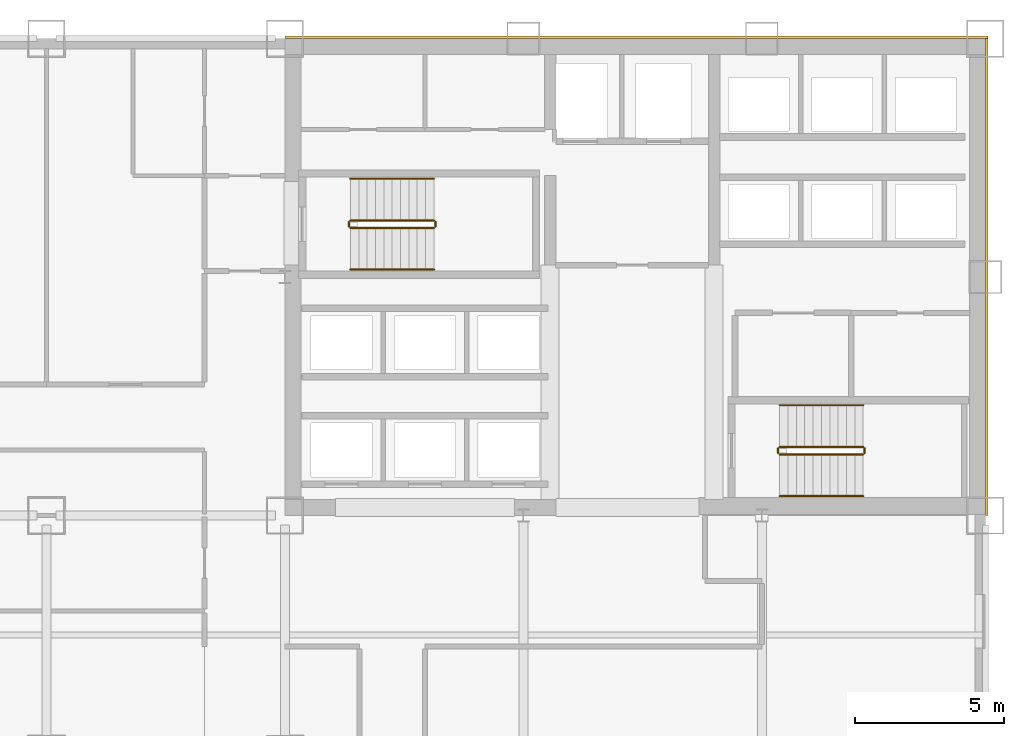
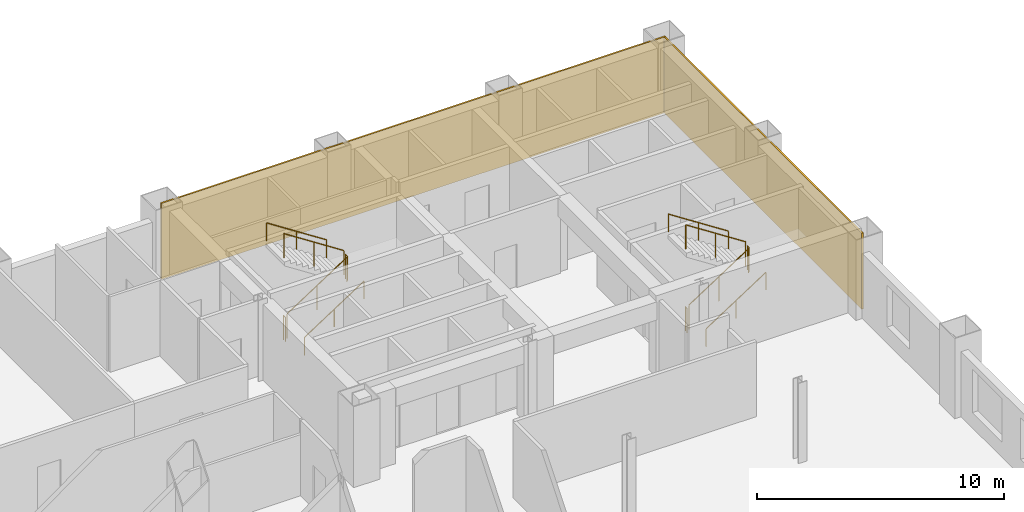
# One storey, part 9 of 9: 12 railings, 2 coverings.
"""IFC4 building model written with IfcOpenShell, lengths in metres."""

from ifc_helpers import new_model, si_unit, direction, frame, origin, origin_2d, place, context, subcontext, project, spatial, rectangle, circle, extrude, material, layer, layer_set, type_object, element, save


model = new_model("IFC4")

# Units and contexts
model_context = context("Model", 3, precision=1e-05, world=origin(), true_north=direction((0.0, 1.0)))
body_context = subcontext(model_context, "Body", "Model", "MODEL_VIEW")
ifc_project = project(units=[si_unit("LENGTHUNIT", "METRE"), si_unit("AREAUNIT", "SQUARE_METRE"), si_unit("VOLUMEUNIT", "CUBIC_METRE"), si_unit("PLANEANGLEUNIT", "RADIAN"), si_unit("MASSUNIT", "GRAM", prefix="KILO")], contexts=[model_context])

# Site, building, storey
site_placement = place(None, origin())
site = spatial("IfcSite", under=ifc_project, at=site_placement, CompositionType="ELEMENT")
building_placement = place(site_placement, origin())
building = spatial("IfcBuilding", under=site, at=building_placement, Name="Qianrong Seaharbour Tower", CompositionType="ELEMENT")
storey_placement = place(building_placement, frame((0.0, 0.0, 52.199951171875)))
storey = spatial("IfcBuildingStorey", under=building, at=storey_placement, Name="L12", CompositionType="ELEMENT", Elevation=52.199951171875)

# Coverings
ifc_material_1 = material(Name="Unitised red brick cladding on Precast concrete C45/55", Category="masonry")
ifc_layer = layer(ifc_material_1, 0.080078125)
ifc_layer_set = layer_set([ifc_layer], Name="Unitised red brick cladding on Precast concrete C45/55")
covering_type = type_object("IfcCoveringType", Name="COV-CLAD-RED-BRICK-80", PredefinedType="CLADDING", material=ifc_layer_set)
covering_1_placement = place(storey_placement, frame((52.2900390625, 52.0400390625, 0.0), z_axis=(0.0, 0.0, 1.0), x_axis=(1.0, 0.0, 0.0)))
element("IfcCovering", 1, at=covering_1_placement, inside=storey, type_object=covering_type, Name="L12 North Core Brick Veneer Cladding", PredefinedType="CLADDING", context=body_context, shape_type="SweptSolid", body=[
    extrude(rectangle(XDim=23.580078125, YDim=0.080078125, at=origin_2d()), origin(), (0.0, 0.0, 1.0), 3.75),
])
covering_2_placement = place(storey_placement, frame((64.0400390625, 44.0, 0.0), z_axis=(0.0, 0.0, 1.0), x_axis=(1.0, 0.0, 0.0)))
element("IfcCovering", 2, at=covering_2_placement, inside=storey, type_object=covering_type, Name="L12 East Core Brick Veneer Cladding", PredefinedType="CLADDING", context=body_context, shape_type="SweptSolid", body=[
    extrude(rectangle(XDim=0.080078125, YDim=16.0, at=origin_2d()), origin(), (0.0, 0.0, 1.0), 3.75),
])

# Railings
ifc_material_2 = material(Name="Galvanized painted steel SN400B stair guard", Category="steel")
railing_type_1 = type_object("IfcRailingType", Name="RAIL-STAIR-GUARD-1220", PredefinedType="GUARDRAIL", material=ifc_material_2)
railing_1_placement = place(storey_placement, frame((42.699951171875, 45.64990234375, 0.181884765625)))
element("IfcRailing", 3, at=railing_1_placement, inside=storey, type_object=railing_type_1, Name="L12 ST-1 stair guard 1", PredefinedType="GUARDRAIL", context=body_context, shape_type="SweptSolid", body=[
    extrude(circle(Radius=0.02392578125, at=origin_2d()), frame((0.0, 0.0, 1.19580078125), z_axis=(0.838705829183, 0.0, 0.544584733623), x_axis=(0.0, 1.0, 0.0)), (0.0, 0.0, 1.0), 3.338623046875),
    extrude(circle(Radius=0.02099609375, at=origin_2d()), origin(), (0.0, 0.0, 1.0), 1.171875),
    extrude(circle(Radius=0.02099609375, at=origin_2d()), frame((1.39990234375, 0.0, 0.9091796875)), (0.0, 0.0, 1.0), 1.171875),
    extrude(circle(Radius=0.02099609375, at=origin_2d()), frame((2.800048828125, 0.0, 1.818115234375)), (0.0, 0.0, 1.0), 1.171875),
])
railing_2_placement = place(storey_placement, frame((45.550048828125, 45.699951171875, 2.0)))
element("IfcRailing", 4, at=railing_2_placement, inside=storey, type_object=railing_type_1, Name="L12 ST-1 stair guard 2", PredefinedType="GUARDRAIL", context=body_context, shape_type="SweptSolid", body=[
    extrude(circle(Radius=0.02392578125, at=origin_2d()), frame((0.0, 0.0, 1.19580078125), z_axis=(0.0, 1.0, 0.0), x_axis=(-1.0, 0.0, 0.0)), (0.0, 0.0, 1.0), 0.150146484375),
    extrude(circle(Radius=0.02099609375, at=origin_2d()), origin(), (0.0, 0.0, 1.0), 1.171875),
    extrude(circle(Radius=0.02099609375, at=origin_2d()), frame((0.0, 0.150146484375, 0.0)), (0.0, 0.0, 1.0), 1.171875),
])
railing_3_placement = place(storey_placement, frame((45.5, 45.89990234375, 2.181884765625)))
element("IfcRailing", 5, at=railing_3_placement, inside=storey, type_object=railing_type_1, Name="L12 ST-1 stair guard 3", PredefinedType="GUARDRAIL", context=body_context, shape_type="SweptSolid", body=[
    extrude(circle(Radius=0.02392578125, at=origin_2d()), frame((0.0, 0.0, 1.19580078125), z_axis=(-0.838705829183, 0.0, 0.544584733623), x_axis=(0.0, -1.0, 0.0)), (0.0, 0.0, 1.0), 3.338623046875),
    extrude(circle(Radius=0.02099609375, at=origin_2d()), origin(), (0.0, 0.0, 1.0), 1.171875),
    extrude(circle(Radius=0.02099609375, at=origin_2d()), frame((-1.39990234375, 0.0, 0.9091796875)), (0.0, 0.0, 1.0), 1.171875),
    extrude(circle(Radius=0.02099609375, at=origin_2d()), frame((-2.800048828125, 0.0, 1.818115234375)), (0.0, 0.0, 1.0), 1.171875),
])
railing_4_placement = place(storey_placement, frame((42.64990234375, 45.699951171875, 0.0)))
element("IfcRailing", 6, at=railing_4_placement, inside=storey, type_object=railing_type_1, Name="L12 ST-1 stair guard 4", PredefinedType="GUARDRAIL", context=body_context, shape_type="SweptSolid", body=[
    extrude(circle(Radius=0.02392578125, at=origin_2d()), frame((0.0, 0.0, 1.19580078125), z_axis=(0.0, 1.0, 0.0), x_axis=(-1.0, 0.0, 0.0)), (0.0, 0.0, 1.0), 0.150146484375),
    extrude(circle(Radius=0.02099609375, at=origin_2d()), origin(), (0.0, 0.0, 1.0), 1.171875),
    extrude(circle(Radius=0.02099609375, at=origin_2d()), frame((0.0, 0.150146484375, 0.0)), (0.0, 0.0, 1.0), 1.171875),
])
railing_5_placement = place(storey_placement, frame((57.10009765625, 38.050048828125, 0.181884765625)))
element("IfcRailing", 7, at=railing_5_placement, inside=storey, type_object=railing_type_1, Name="L12 ST-2 stair guard 1", PredefinedType="GUARDRAIL", context=body_context, shape_type="SweptSolid", body=[
    extrude(circle(Radius=0.02392578125, at=origin_2d()), frame((0.0, 0.0, 1.19580078125), z_axis=(0.83868413941, 0.0, 0.544618136222), x_axis=(0.0, 1.0, 0.0)), (0.0, 0.0, 1.0), 3.33837890625),
    extrude(circle(Radius=0.02099609375, at=origin_2d()), origin(), (0.0, 0.0, 1.0), 1.171875),
    extrude(circle(Radius=0.02099609375, at=origin_2d()), frame((1.39990234375, 0.0, 0.9091796875)), (0.0, 0.0, 1.0), 1.171875),
    extrude(circle(Radius=0.02099609375, at=origin_2d()), frame((2.7998046875, 0.0, 1.818115234375)), (0.0, 0.0, 1.0), 1.171875),
])
railing_6_placement = place(storey_placement, frame((59.949951171875, 38.10009765625, 2.0)))
element("IfcRailing", 8, at=railing_6_placement, inside=storey, type_object=railing_type_1, Name="L12 ST-2 stair guard 2", PredefinedType="GUARDRAIL", context=body_context, shape_type="SweptSolid", body=[
    extrude(circle(Radius=0.02392578125, at=origin_2d()), frame((0.0, 0.0, 1.19580078125), z_axis=(0.0, 1.0, 0.0), x_axis=(-1.0, 0.0, 0.0)), (0.0, 0.0, 1.0), 0.14990234375),
    extrude(circle(Radius=0.02099609375, at=origin_2d()), origin(), (0.0, 0.0, 1.0), 1.171875),
    extrude(circle(Radius=0.02099609375, at=origin_2d()), frame((0.0, 0.14990234375, 0.0)), (0.0, 0.0, 1.0), 1.171875),
])
railing_7_placement = place(storey_placement, frame((59.89990234375, 38.300048828125, 2.181884765625)))
element("IfcRailing", 9, at=railing_7_placement, inside=storey, type_object=railing_type_1, Name="L12 ST-2 stair guard 3", PredefinedType="GUARDRAIL", context=body_context, shape_type="SweptSolid", body=[
    extrude(circle(Radius=0.02392578125, at=origin_2d()), frame((0.0, 0.0, 1.19580078125), z_axis=(-0.83868413941, 0.0, 0.544618136222), x_axis=(0.0, -1.0, 0.0)), (0.0, 0.0, 1.0), 3.33837890625),
    extrude(circle(Radius=0.02099609375, at=origin_2d()), origin(), (0.0, 0.0, 1.0), 1.171875),
    extrude(circle(Radius=0.02099609375, at=origin_2d()), frame((-1.39990234375, 0.0, 0.9091796875)), (0.0, 0.0, 1.0), 1.171875),
    extrude(circle(Radius=0.02099609375, at=origin_2d()), frame((-2.7998046875, 0.0, 1.818115234375)), (0.0, 0.0, 1.0), 1.171875),
])
railing_8_placement = place(storey_placement, frame((57.050048828125, 38.10009765625, 0.0)))
element("IfcRailing", 10, at=railing_8_placement, inside=storey, type_object=railing_type_1, Name="L12 ST-2 stair guard 4", PredefinedType="GUARDRAIL", context=body_context, shape_type="SweptSolid", body=[
    extrude(circle(Radius=0.02392578125, at=origin_2d()), frame((0.0, 0.0, 1.19580078125), z_axis=(0.0, 1.0, 0.0), x_axis=(-1.0, 0.0, 0.0)), (0.0, 0.0, 1.0), 0.14990234375),
    extrude(circle(Radius=0.02099609375, at=origin_2d()), origin(), (0.0, 0.0, 1.0), 1.171875),
    extrude(circle(Radius=0.02099609375, at=origin_2d()), frame((0.0, 0.14990234375, 0.0)), (0.0, 0.0, 1.0), 1.171875),
])
ifc_material_3 = material(Name="Stainless steel SUS316L continuous handrail", Category="steel")
railing_type_2 = type_object("IfcRailingType", Name="RAIL-STAIR-HANDRAIL-900", PredefinedType="HANDRAIL", material=ifc_material_3)
railing_9_placement = place(storey_placement, frame((42.699951171875, 44.25, 0.181884765625)))
element("IfcRailing", 11, at=railing_9_placement, inside=storey, type_object=railing_type_2, Name="L12 ST-1 stair handrail 1", PredefinedType="HANDRAIL", context=body_context, shape_type="SweptSolid", body=[
    extrude(circle(Radius=0.02392578125, at=origin_2d()), frame((0.0, 0.0, 0.8759765625), z_axis=(0.838705829183, 0.0, 0.544584733623), x_axis=(0.0, 1.0, 0.0)), (0.0, 0.0, 1.0), 3.338623046875),
    extrude(circle(Radius=0.02099609375, at=origin_2d()), origin(), (0.0, 0.0, 1.0), 0.851806640625),
    extrude(circle(Radius=0.02099609375, at=origin_2d()), frame((1.39990234375, 0.0, 0.9091796875)), (0.0, 0.0, 1.0), 0.851806640625),
    extrude(circle(Radius=0.02099609375, at=origin_2d()), frame((2.800048828125, 0.0, 1.818115234375)), (0.0, 0.0, 1.0), 0.851806640625),
])
railing_10_placement = place(storey_placement, frame((45.5, 47.300048828125, 2.181884765625)))
element("IfcRailing", 12, at=railing_10_placement, inside=storey, type_object=railing_type_2, Name="L12 ST-1 stair handrail 2", PredefinedType="HANDRAIL", context=body_context, shape_type="SweptSolid", body=[
    extrude(circle(Radius=0.02392578125, at=origin_2d()), frame((0.0, 0.0, 0.8759765625), z_axis=(-0.838705829183, 0.0, 0.544584733623), x_axis=(0.0, -1.0, 0.0)), (0.0, 0.0, 1.0), 3.338623046875),
    extrude(circle(Radius=0.02099609375, at=origin_2d()), origin(), (0.0, 0.0, 1.0), 0.851806640625),
    extrude(circle(Radius=0.02099609375, at=origin_2d()), frame((-1.39990234375, 0.0, 0.9091796875)), (0.0, 0.0, 1.0), 0.851806640625),
    extrude(circle(Radius=0.02099609375, at=origin_2d()), frame((-2.800048828125, 0.0, 1.818115234375)), (0.0, 0.0, 1.0), 0.851806640625),
])
railing_11_placement = place(storey_placement, frame((57.10009765625, 36.64990234375, 0.181884765625)))
element("IfcRailing", 13, at=railing_11_placement, inside=storey, type_object=railing_type_2, Name="L12 ST-2 stair handrail 1", PredefinedType="HANDRAIL", context=body_context, shape_type="SweptSolid", body=[
    extrude(circle(Radius=0.02392578125, at=origin_2d()), frame((0.0, 0.0, 0.8759765625), z_axis=(0.83868413941, 0.0, 0.544618136222), x_axis=(0.0, 1.0, 0.0)), (0.0, 0.0, 1.0), 3.33837890625),
    extrude(circle(Radius=0.02099609375, at=origin_2d()), origin(), (0.0, 0.0, 1.0), 0.851806640625),
    extrude(circle(Radius=0.02099609375, at=origin_2d()), frame((1.39990234375, 0.0, 0.9091796875)), (0.0, 0.0, 1.0), 0.851806640625),
    extrude(circle(Radius=0.02099609375, at=origin_2d()), frame((2.7998046875, 0.0, 1.818115234375)), (0.0, 0.0, 1.0), 0.851806640625),
])
railing_12_placement = place(storey_placement, frame((59.89990234375, 39.699951171875, 2.181884765625)))
element("IfcRailing", 14, at=railing_12_placement, inside=storey, type_object=railing_type_2, Name="L12 ST-2 stair handrail 2", PredefinedType="HANDRAIL", context=body_context, shape_type="SweptSolid", body=[
    extrude(circle(Radius=0.02392578125, at=origin_2d()), frame((0.0, 0.0, 0.8759765625), z_axis=(-0.83868413941, 0.0, 0.544618136222), x_axis=(0.0, -1.0, 0.0)), (0.0, 0.0, 1.0), 3.33837890625),
    extrude(circle(Radius=0.02099609375, at=origin_2d()), origin(), (0.0, 0.0, 1.0), 0.851806640625),
    extrude(circle(Radius=0.02099609375, at=origin_2d()), frame((-1.39990234375, 0.0, 0.9091796875)), (0.0, 0.0, 1.0), 0.851806640625),
    extrude(circle(Radius=0.02099609375, at=origin_2d()), frame((-2.7998046875, 0.0, 1.818115234375)), (0.0, 0.0, 1.0), 0.851806640625),
])

save(model, "model.ifc")
